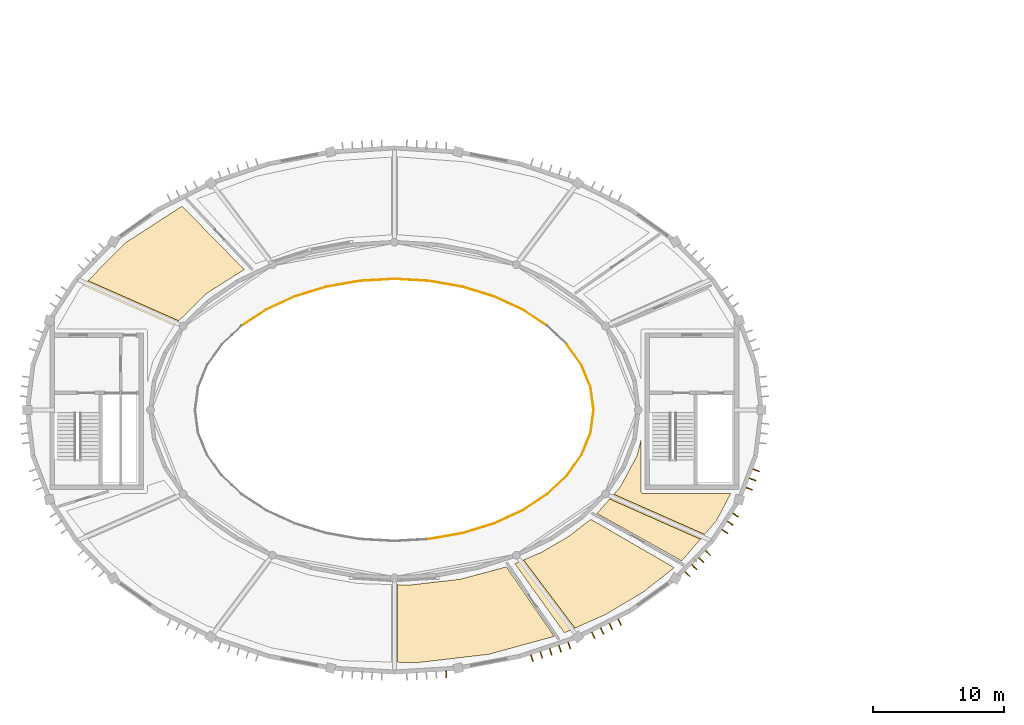
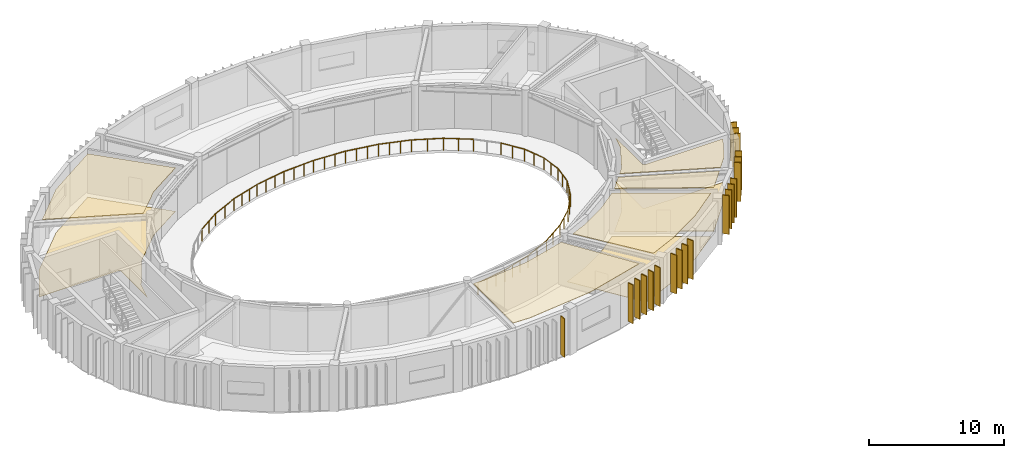
# One storey, part 25 of 29: 21 railings, 20 shading devices, 8 coverings.
"""IFC4 building model written with IfcOpenShell, lengths in metres."""

from ifc_helpers import new_model, si_unit, direction, frame, origin, origin_2d, place, context, subcontext, project, spatial, polyline, rectangle, circle, outline, extrude, material, layer, layer_set, type_object, element, save


model = new_model("IFC4")

# Units and contexts
model_context = context("Model", 3, precision=1e-05, world=origin(), true_north=direction((0.0, 1.0)))
body_context = subcontext(model_context, "Body", "Model", "MODEL_VIEW")
ifc_project = project(units=[si_unit("LENGTHUNIT", "METRE"), si_unit("AREAUNIT", "SQUARE_METRE"), si_unit("VOLUMEUNIT", "CUBIC_METRE"), si_unit("PLANEANGLEUNIT", "RADIAN"), si_unit("MASSUNIT", "GRAM", prefix="KILO")], contexts=[model_context])

# Site, building, storey
site_placement = place(None, origin())
site = spatial("IfcSite", under=ifc_project, at=site_placement, CompositionType="ELEMENT")
building_placement = place(site_placement, origin())
building = spatial("IfcBuilding", under=site, at=building_placement, Name="Tarnveldt Headland Concert Hall", CompositionType="ELEMENT")
storey_placement = place(building_placement, frame((0.0, 0.0, 18.60009765625)))
storey = spatial("IfcBuildingStorey", under=building, at=storey_placement, Name="L04", CompositionType="ELEMENT", Elevation=18.60009765625)

# Coverings
ifc_material_1 = material(Name="Micro-perforated mvule acoustic ceiling panel", Category="timber")
ifc_layer_1 = layer(ifc_material_1, 0.050048828125, Name="Micro-perforated mvule acoustic ceiling panel", Category="timber")
ifc_layer_set_1 = layer_set([ifc_layer_1], Name="Micro-perforated mvule acoustic ceiling panel")
covering_type_1 = type_object("IfcCoveringType", Name="CV-CEIL50", PredefinedType="CEILING", material=ifc_layer_set_1)
covering_1_placement = place(storey_placement, frame((0.0, 0.0, 3.929931640625)))
element("IfcCovering", 1, at=covering_1_placement, inside=storey, type_object=covering_type_1, Name="Acoustic mvule ceiling L04-06-329", PredefinedType="CEILING", context=body_context, shape_type="SweptSolid", body=[
    extrude(outline(polyline([(84.680419921875, 41.145751953125), (88.51806640625, 41.5859375), (88.53125, 41.587890625), (88.544189453125, 41.591064453125), (92.049560546875, 42.531982421875), (95.69287109375, 37.232177734375), (90.698974609375, 35.86376953125), (85.1708984375, 35.216796875), (83.72998046875, 35.259033203125), (83.72998046875, 41.17138671875), (84.65478515625, 41.144775390625), (84.680419921875, 41.145751953125)])), origin(), (0.0, 0.0, 1.0), 0.050048828125),
])
covering_2_placement = place(storey_placement, frame((0.0, 0.0, 3.929931640625)))
element("IfcCovering", 2, at=covering_2_placement, inside=storey, type_object=covering_type_1, Name="Acoustic mvule ceiling L04-07-331", PredefinedType="CEILING", context=body_context, shape_type="SweptSolid", body=[
    extrude(outline(polyline([(102.323486328125, 48.264892578125), (102.327880859375, 48.247802734375), (102.333740234375, 48.231201171875), (102.34130859375, 48.215087890625), (102.350341796875, 48.199951171875), (102.36083984375, 48.185791015625), (102.372802734375, 48.172607421875), (102.3857421875, 48.160888671875), (102.39990234375, 48.150390625), (102.4150390625, 48.141357421875), (102.43115234375, 48.1337890625), (102.44775390625, 48.127685546875), (102.46484375, 48.12353515625), (102.482421875, 48.120849609375), (102.5, 48.1201171875), (109.156494140625, 48.1201171875), (108.067138671875, 46.053955078125), (107.164794921875, 45.009765625), (100.248046875, 48.068359375), (100.712158203125, 48.594482421875), (100.724853515625, 48.610595703125), (100.735595703125, 48.628173828125), (102.010986328125, 50.998291015625), (102.017822265625, 51.01220703125), (102.023193359375, 51.026611328125), (102.027587890625, 51.04150390625), (102.320068359375, 52.25537109375), (102.320068359375, 48.300048828125), (102.32080078125, 48.282470703125), (102.323486328125, 48.264892578125)])), origin(), (0.0, 0.0, 1.0), 0.050048828125),
])
covering_3_placement = place(storey_placement, frame((0.0, 0.0, 3.929931640625)))
element("IfcCovering", 3, at=covering_3_placement, inside=storey, type_object=covering_type_1, Name="Acoustic mvule ceiling L04-07-332", PredefinedType="CEILING", context=body_context, shape_type="SweptSolid", body=[
    extrude(outline(polyline([(98.956787109375, 46.604248046875), (99.923095703125, 47.699951171875), (99.94384765625, 47.699951171875), (106.850341796875, 44.645751953125), (105.422119140625, 42.993408203125), (98.956787109375, 46.604248046875)])), origin(), (0.0, 0.0, 1.0), 0.050048828125),
])
covering_4_placement = place(storey_placement, frame((0.0, 0.0, 3.929931640625)))
element("IfcCovering", 4, at=covering_4_placement, inside=storey, type_object=covering_type_1, Name="Acoustic mvule ceiling L04-10-338", PredefinedType="CEILING", context=body_context, shape_type="SweptSolid", body=[
    extrude(outline(polyline([(72.047607421875, 65.2119140625), (69.136962890625, 63.369873046875), (69.12109375, 63.358642578125), (69.1064453125, 63.345703125), (67.04833984375, 61.303466796875), (60.127197265625, 64.3642578125), (62.965087890625, 67.238037109375), (67.310302734375, 70.044921875), (72.047607421875, 65.2119140625)])), origin(), (0.0, 0.0, 1.0), 0.050048828125),
])
covering_5_placement = place(storey_placement, frame((0.0, 0.0, 3.929931640625)))
element("IfcCovering", 5, at=covering_5_placement, inside=storey, type_object=covering_type_1, Name="Acoustic mvule ceiling L04-11-340", PredefinedType="CEILING", context=body_context, shape_type="SweptSolid", body=[
    extrude(outline(polyline([(94.758544921875, 43.66552734375), (96.789306640625, 44.84912109375), (96.80859375, 44.8623046875), (98.486572265625, 46.156982421875), (104.850341796875, 42.4716796875), (102.5009765625, 40.62158203125), (99.581298828125, 38.884521484375), (97.273681640625, 37.86181640625), (93.3583984375, 43.056396484375), (94.739501953125, 43.656005859375), (94.758544921875, 43.66552734375)])), origin(), (0.0, 0.0, 1.0), 0.050048828125),
])
ifc_material_2 = material(Name="Polished coral-aggregate cementitious terrazzo flooring", Category="concrete")
ifc_layer_2 = layer(ifc_material_2, 0.034912109375, Name="Polished coral-aggregate cementitious terrazzo flooring", Category="concrete")
ifc_layer_set_2 = layer_set([ifc_layer_2], Name="Polished coral-aggregate cementitious terrazzo flooring")
covering_type_2 = type_object("IfcCoveringType", Name="CV-FLOR35", PredefinedType="FLOORING", material=ifc_layer_set_2)
covering_6_placement = place(storey_placement, origin())
element("IfcCovering", 6, at=covering_6_placement, inside=storey, type_object=covering_type_2, Name="Architectural flooring L04-07-117", PredefinedType="FLOORING", context=body_context, shape_type="SweptSolid", body=[
    extrude(outline(polyline([(102.32080078125, 48.282470703125), (102.323486328125, 48.264892578125), (102.327880859375, 48.247802734375), (102.333740234375, 48.231201171875), (102.34130859375, 48.215087890625), (102.350341796875, 48.199951171875), (102.36083984375, 48.185791015625), (102.372802734375, 48.172607421875), (102.3857421875, 48.160888671875), (102.39990234375, 48.150390625), (102.4150390625, 48.141357421875), (102.43115234375, 48.1337890625), (102.44775390625, 48.127685546875), (102.46484375, 48.12353515625), (102.482421875, 48.120849609375), (102.5, 48.1201171875), (109.156494140625, 48.1201171875), (108.067138671875, 46.053955078125), (105.422119140625, 42.993408203125), (98.956787109375, 46.604248046875), (99.923095703125, 47.699951171875), (100.008056640625, 47.699951171875), (100.008056640625, 47.79638671875), (100.712158203125, 48.594482421875), (100.724853515625, 48.610595703125), (100.735595703125, 48.628173828125), (102.010986328125, 50.998291015625), (102.017822265625, 51.01220703125), (102.023193359375, 51.026611328125), (102.027587890625, 51.04150390625), (102.320068359375, 52.25537109375), (102.320068359375, 48.300048828125), (102.32080078125, 48.282470703125)])), origin(), (0.0, 0.0, 1.0), 0.034912109375),
])
covering_7_placement = place(storey_placement, origin())
element("IfcCovering", 7, at=covering_7_placement, inside=storey, type_object=covering_type_2, Name="Architectural flooring L04-10-121", PredefinedType="FLOORING", context=body_context, shape_type="SweptSolid", body=[
    extrude(outline(polyline([(67.310302734375, 70.044921875), (72.047607421875, 65.2119140625), (69.136962890625, 63.369873046875), (69.12109375, 63.358642578125), (69.1064453125, 63.345703125), (67.044921875, 61.300048828125), (66.991943359375, 61.300048828125), (66.991943359375, 61.24755859375), (66.7021484375, 60.9599609375), (66.691650390625, 60.94873046875), (66.682373046875, 60.936767578125), (66.674072265625, 60.923828125), (65.0810546875, 58.22998046875), (65.072998046875, 58.21435546875), (65.066162109375, 58.197998046875), (65.061279296875, 58.181396484375), (64.679931640625, 56.626708984375), (64.679931640625, 60.5), (64.67919921875, 60.517578125), (64.676513671875, 60.53515625), (64.672119140625, 60.55224609375), (64.666259765625, 60.56884765625), (64.65869140625, 60.5849609375), (64.649658203125, 60.60009765625), (64.63916015625, 60.6142578125), (64.627197265625, 60.627197265625), (64.6142578125, 60.63916015625), (64.60009765625, 60.649658203125), (64.5849609375, 60.65869140625), (64.56884765625, 60.666259765625), (64.55224609375, 60.672119140625), (64.53515625, 60.676513671875), (64.517578125, 60.67919921875), (64.5, 60.679931640625), (57.73974609375, 60.679931640625), (59.514892578125, 63.744384765625), (62.965087890625, 67.238037109375), (67.310302734375, 70.044921875)])), origin(), (0.0, 0.0, 1.0), 0.034912109375),
])
covering_8_placement = place(storey_placement, origin())
element("IfcCovering", 8, at=covering_8_placement, inside=storey, type_object=covering_type_2, Name="Architectural flooring L04-11-122", PredefinedType="FLOORING", context=body_context, shape_type="SweptSolid", body=[
    extrude(outline(polyline([(92.6962890625, 42.768798828125), (94.739501953125, 43.656005859375), (94.758544921875, 43.66552734375), (96.789306640625, 44.84912109375), (96.80859375, 44.8623046875), (98.486572265625, 46.156982421875), (104.850341796875, 42.4716796875), (102.5009765625, 40.62158203125), (99.581298828125, 38.884521484375), (96.471435546875, 37.50634765625), (92.6962890625, 42.768798828125)])), origin(), (0.0, 0.0, 1.0), 0.034912109375),
])

# Railings
ifc_material_3 = material(Name="Marine stainless steel", Category="steel")
ifc_layer_3 = layer(ifc_material_3, 0.06005859375, Name="Marine stainless steel", Category="steel")
ifc_layer_set_3 = layer_set([ifc_layer_3], Name="Marine stainless steel")
railing_type = type_object("IfcRailingType", Name="RL-GRD110", PredefinedType="GUARDRAIL", material=ifc_layer_set_3)
railing_1_placement = place(storey_placement, frame((98.699951171875, 54.5, 0.0)))
element("IfcRailing", 9, at=railing_1_placement, inside=storey, type_object=railing_type, Name="GUARD Auditorium void guardrail L04 1", PredefinedType="GUARDRAIL", context=body_context, shape_type="SweptSolid", body=[
    extrude(circle(Radius=0.02392578125, at=origin_2d()), frame((0.0, 0.0, 1.076171875), z_axis=(-0.131835089673, 0.991271662629, 0.0), x_axis=(-0.991271662629, -0.131835089673, 0.0)), (0.0, 0.0, 1.0), 1.751953125),
    extrude(circle(Radius=0.02099609375, at=origin_2d()), origin(), (0.0, 0.0, 1.0), 1.052001953125),
    extrude(circle(Radius=0.02099609375, at=origin_2d()), frame((-0.115478515625, 0.8681640625, 0.0)), (0.0, 0.0, 1.0), 1.052001953125),
    extrude(circle(Radius=0.02099609375, at=origin_2d()), frame((-0.23095703125, 1.736572265625, 0.0)), (0.0, 0.0, 1.0), 1.052001953125),
])
railing_2_placement = place(storey_placement, frame((98.468994140625, 56.236572265625, 0.0)))
element("IfcRailing", 10, at=railing_2_placement, inside=storey, type_object=railing_type, Name="GUARD Auditorium void guardrail L04 2", PredefinedType="GUARDRAIL", context=body_context, shape_type="SweptSolid", body=[
    extrude(circle(Radius=0.02392578125, at=origin_2d()), frame((0.0, 0.0, 1.076171875), z_axis=(-0.377241429706, 0.926114951674, 0.0), x_axis=(-0.926114951674, -0.377241429706, 0.0)), (0.0, 0.0, 1.0), 1.81787109375),
    extrude(circle(Radius=0.02099609375, at=origin_2d()), origin(), (0.0, 0.0, 1.0), 1.052001953125),
    extrude(circle(Radius=0.02099609375, at=origin_2d()), frame((-0.3427734375, 0.841796875, 0.0)), (0.0, 0.0, 1.0), 1.052001953125),
    extrude(circle(Radius=0.02099609375, at=origin_2d()), frame((-0.685791015625, 1.68359375, 0.0)), (0.0, 0.0, 1.0), 1.052001953125),
])
railing_3_placement = place(storey_placement, frame((97.783203125, 57.920166015625, 0.0)))
element("IfcRailing", 11, at=railing_3_placement, inside=storey, type_object=railing_type, Name="GUARD Auditorium void guardrail L04 3", PredefinedType="GUARDRAIL", context=body_context, shape_type="SweptSolid", body=[
    extrude(circle(Radius=0.02392578125, at=origin_2d()), frame((0.0, 0.0, 1.076171875), z_axis=(-0.578216724182, 0.815883214606, 0.0), x_axis=(-0.815883214606, -0.578216724182, 0.0)), (0.0, 0.0, 1.0), 1.936279296875),
    extrude(circle(Radius=0.02099609375, at=origin_2d()), origin(), (0.0, 0.0, 1.0), 1.052001953125),
    extrude(circle(Radius=0.02099609375, at=origin_2d()), frame((-0.559814453125, 0.7900390625, 0.0)), (0.0, 0.0, 1.0), 1.052001953125),
    extrude(circle(Radius=0.02099609375, at=origin_2d()), frame((-1.11962890625, 1.579833984375, 0.0)), (0.0, 0.0, 1.0), 1.052001953125),
])
railing_4_placement = place(storey_placement, frame((95.143798828125, 60.927978515625, 0.0)))
element("IfcRailing", 12, at=railing_4_placement, inside=storey, type_object=railing_type, Name="GUARD Auditorium void guardrail L04 5", PredefinedType="GUARDRAIL", context=body_context, shape_type="SweptSolid", body=[
    extrude(circle(Radius=0.02392578125, at=origin_2d()), frame((0.0, 0.0, 1.076171875), z_axis=(-0.835418397825, 0.549614501788, 0.0), x_axis=(-0.549614501788, -0.835418397825, 0.0)), (0.0, 0.0, 1.0), 2.242431640625),
    extrude(circle(Radius=0.02099609375, at=origin_2d()), origin(), (0.0, 0.0, 1.0), 1.052001953125),
    extrude(circle(Radius=0.02099609375, at=origin_2d()), frame((-0.9365234375, 0.6162109375, 0.0)), (0.0, 0.0, 1.0), 1.052001953125),
    extrude(circle(Radius=0.02099609375, at=origin_2d()), frame((-1.873291015625, 1.232421875, 0.0)), (0.0, 0.0, 1.0), 1.052001953125),
])
railing_5_placement = place(storey_placement, frame((93.2705078125, 62.160400390625, 0.0)))
element("IfcRailing", 13, at=railing_5_placement, inside=storey, type_object=railing_type, Name="GUARD Auditorium void guardrail L04 6", PredefinedType="GUARDRAIL", context=body_context, shape_type="SweptSolid", body=[
    extrude(circle(Radius=0.02392578125, at=origin_2d()), frame((0.0, 0.0, 1.076171875), z_axis=(-0.908234283008, 0.418462049854, 0.0), x_axis=(-0.418462049854, -0.908234283008, 0.0)), (0.0, 0.0, 1.0), 2.3896484375),
    extrude(circle(Radius=0.02099609375, at=origin_2d()), origin(), (0.0, 0.0, 1.0), 1.052001953125),
    extrude(circle(Radius=0.02099609375, at=origin_2d()), frame((-1.085205078125, 0.5, 0.0)), (0.0, 0.0, 1.0), 1.052001953125),
    extrude(circle(Radius=0.02099609375, at=origin_2d()), frame((-2.17041015625, 1.0, 0.0)), (0.0, 0.0, 1.0), 1.052001953125),
])
railing_6_placement = place(storey_placement, frame((91.10009765625, 63.160400390625, 0.0)))
element("IfcRailing", 14, at=railing_6_placement, inside=storey, type_object=railing_type, Name="GUARD Auditorium void guardrail L04 7", PredefinedType="GUARDRAIL", context=body_context, shape_type="SweptSolid", body=[
    extrude(circle(Radius=0.02392578125, at=origin_2d()), frame((0.0, 0.0, 1.076171875), z_axis=(-0.956037133001, 0.293245631381, 0.0), x_axis=(-0.293245631381, -0.956037133001, 0.0)), (0.0, 0.0, 1.0), 2.51171875),
    extrude(circle(Radius=0.02099609375, at=origin_2d()), origin(), (0.0, 0.0, 1.0), 1.052001953125),
    extrude(circle(Radius=0.02099609375, at=origin_2d()), frame((-0.800537109375, 0.24560546875, 0.0)), (0.0, 0.0, 1.0), 1.052001953125),
    extrude(circle(Radius=0.02099609375, at=origin_2d()), frame((-1.600830078125, 0.490966796875, 0.0)), (0.0, 0.0, 1.0), 1.052001953125),
    extrude(circle(Radius=0.02099609375, at=origin_2d()), frame((-2.4013671875, 0.736572265625, 0.0)), (0.0, 0.0, 1.0), 1.052001953125),
])
railing_7_placement = place(storey_placement, frame((88.69873046875, 63.89697265625, 0.0)))
element("IfcRailing", 15, at=railing_7_placement, inside=storey, type_object=railing_type, Name="GUARD Auditorium void guardrail L04 8", PredefinedType="GUARDRAIL", context=body_context, shape_type="SweptSolid", body=[
    extrude(circle(Radius=0.02392578125, at=origin_2d()), frame((0.0, 0.0, 1.076171875), z_axis=(-0.984814752515, 0.173608476834, 0.0), x_axis=(-0.173608476834, -0.984814752515, 0.0)), (0.0, 0.0, 1.0), 2.598876953125),
    extrude(circle(Radius=0.02099609375, at=origin_2d()), origin(), (0.0, 0.0, 1.0), 1.052001953125),
    extrude(circle(Radius=0.02099609375, at=origin_2d()), frame((-0.85302734375, 0.150390625, 0.0)), (0.0, 0.0, 1.0), 1.052001953125),
    extrude(circle(Radius=0.02099609375, at=origin_2d()), frame((-1.706298828125, 0.30078125, 0.0)), (0.0, 0.0, 1.0), 1.052001953125),
    extrude(circle(Radius=0.02099609375, at=origin_2d()), frame((-2.559326171875, 0.451171875, 0.0)), (0.0, 0.0, 1.0), 1.052001953125),
])
railing_8_placement = place(storey_placement, frame((86.139404296875, 64.34814453125, 0.0)))
element("IfcRailing", 16, at=railing_8_placement, inside=storey, type_object=railing_type, Name="GUARD Auditorium void guardrail L04 9", PredefinedType="GUARDRAIL", context=body_context, shape_type="SweptSolid", body=[
    extrude(circle(Radius=0.02392578125, at=origin_2d()), frame((0.0, 0.0, 1.076171875), z_axis=(-0.99834901745, 0.057439005536, 0.0), x_axis=(-0.057439005536, -0.99834901745, 0.0)), (0.0, 0.0, 1.0), 2.643798828125),
    extrude(circle(Radius=0.02099609375, at=origin_2d()), origin(), (0.0, 0.0, 1.0), 1.052001953125),
    extrude(circle(Radius=0.02099609375, at=origin_2d()), frame((-0.8798828125, 0.050537109375, 0.0)), (0.0, 0.0, 1.0), 1.052001953125),
    extrude(circle(Radius=0.02099609375, at=origin_2d()), frame((-1.759521484375, 0.101318359375, 0.0)), (0.0, 0.0, 1.0), 1.052001953125),
    extrude(circle(Radius=0.02099609375, at=origin_2d()), frame((-2.639404296875, 0.15185546875, 0.0)), (0.0, 0.0, 1.0), 1.052001953125),
])
railing_9_placement = place(storey_placement, frame((83.5, 64.5, 0.0)))
element("IfcRailing", 17, at=railing_9_placement, inside=storey, type_object=railing_type, Name="GUARD Auditorium void guardrail L04 10", PredefinedType="GUARDRAIL", context=body_context, shape_type="SweptSolid", body=[
    extrude(circle(Radius=0.02392578125, at=origin_2d()), frame((0.0, 0.0, 1.076171875), z_axis=(-0.99834901745, -0.057439005536, 0.0), x_axis=(0.057439005536, -0.99834901745, 0.0)), (0.0, 0.0, 1.0), 2.643798828125),
    extrude(circle(Radius=0.02099609375, at=origin_2d()), origin(), (0.0, 0.0, 1.0), 1.052001953125),
    extrude(circle(Radius=0.02099609375, at=origin_2d()), frame((-0.8798828125, -0.050537109375, 0.0)), (0.0, 0.0, 1.0), 1.052001953125),
    extrude(circle(Radius=0.02099609375, at=origin_2d()), frame((-1.759521484375, -0.101318359375, 0.0)), (0.0, 0.0, 1.0), 1.052001953125),
    extrude(circle(Radius=0.02099609375, at=origin_2d()), frame((-2.639404296875, -0.15185546875, 0.0)), (0.0, 0.0, 1.0), 1.052001953125),
])
railing_10_placement = place(storey_placement, frame((80.860595703125, 64.34814453125, 0.0)))
element("IfcRailing", 18, at=railing_10_placement, inside=storey, type_object=railing_type, Name="GUARD Auditorium void guardrail L04 11", PredefinedType="GUARDRAIL", context=body_context, shape_type="SweptSolid", body=[
    extrude(circle(Radius=0.02392578125, at=origin_2d()), frame((0.0, 0.0, 1.076171875), z_axis=(-0.984814752515, -0.173608476834, 0.0), x_axis=(0.173608476834, -0.984814752515, 0.0)), (0.0, 0.0, 1.0), 2.598876953125),
    extrude(circle(Radius=0.02099609375, at=origin_2d()), origin(), (0.0, 0.0, 1.0), 1.052001953125),
    extrude(circle(Radius=0.02099609375, at=origin_2d()), frame((-0.85302734375, -0.150390625, 0.0)), (0.0, 0.0, 1.0), 1.052001953125),
    extrude(circle(Radius=0.02099609375, at=origin_2d()), frame((-1.706298828125, -0.30078125, 0.0)), (0.0, 0.0, 1.0), 1.052001953125),
    extrude(circle(Radius=0.02099609375, at=origin_2d()), frame((-2.559326171875, -0.451171875, 0.0)), (0.0, 0.0, 1.0), 1.052001953125),
])
railing_11_placement = place(storey_placement, frame((78.30126953125, 63.89697265625, 0.0)))
element("IfcRailing", 19, at=railing_11_placement, inside=storey, type_object=railing_type, Name="GUARD Auditorium void guardrail L04 12", PredefinedType="GUARDRAIL", context=body_context, shape_type="SweptSolid", body=[
    extrude(circle(Radius=0.02392578125, at=origin_2d()), frame((0.0, 0.0, 1.076171875), z_axis=(-0.956037133001, -0.293245631381, 0.0), x_axis=(0.293245631381, -0.956037133001, 0.0)), (0.0, 0.0, 1.0), 2.51171875),
    extrude(circle(Radius=0.02099609375, at=origin_2d()), origin(), (0.0, 0.0, 1.0), 1.052001953125),
    extrude(circle(Radius=0.02099609375, at=origin_2d()), frame((-0.800537109375, -0.24560546875, 0.0)), (0.0, 0.0, 1.0), 1.052001953125),
    extrude(circle(Radius=0.02099609375, at=origin_2d()), frame((-1.600830078125, -0.490966796875, 0.0)), (0.0, 0.0, 1.0), 1.052001953125),
    extrude(circle(Radius=0.02099609375, at=origin_2d()), frame((-2.4013671875, -0.736572265625, 0.0)), (0.0, 0.0, 1.0), 1.052001953125),
])
railing_12_placement = place(storey_placement, frame((75.89990234375, 63.160400390625, 0.0)))
element("IfcRailing", 20, at=railing_12_placement, inside=storey, type_object=railing_type, Name="GUARD Auditorium void guardrail L04 13", PredefinedType="GUARDRAIL", context=body_context, shape_type="SweptSolid", body=[
    extrude(circle(Radius=0.02392578125, at=origin_2d()), frame((0.0, 0.0, 1.076171875), z_axis=(-0.908234283008, -0.418462049854, 0.0), x_axis=(0.418462049854, -0.908234283008, 0.0)), (0.0, 0.0, 1.0), 2.3896484375),
    extrude(circle(Radius=0.02099609375, at=origin_2d()), origin(), (0.0, 0.0, 1.0), 1.052001953125),
    extrude(circle(Radius=0.02099609375, at=origin_2d()), frame((-1.085205078125, -0.5, 0.0)), (0.0, 0.0, 1.0), 1.052001953125),
    extrude(circle(Radius=0.02099609375, at=origin_2d()), frame((-2.17041015625, -1.0, 0.0)), (0.0, 0.0, 1.0), 1.052001953125),
])
railing_13_placement = place(storey_placement, frame((73.7294921875, 62.160400390625, 0.0)))
element("IfcRailing", 21, at=railing_13_placement, inside=storey, type_object=railing_type, Name="GUARD Auditorium void guardrail L04 14", PredefinedType="GUARDRAIL", context=body_context, shape_type="SweptSolid", body=[
    extrude(circle(Radius=0.02392578125, at=origin_2d()), frame((0.0, 0.0, 1.076171875), z_axis=(-0.835418397825, -0.549614501788, 0.0), x_axis=(0.549614501788, -0.835418397825, 0.0)), (0.0, 0.0, 1.0), 2.242431640625),
    extrude(circle(Radius=0.02099609375, at=origin_2d()), origin(), (0.0, 0.0, 1.0), 1.052001953125),
    extrude(circle(Radius=0.02099609375, at=origin_2d()), frame((-0.9365234375, -0.6162109375, 0.0)), (0.0, 0.0, 1.0), 1.052001953125),
    extrude(circle(Radius=0.02099609375, at=origin_2d()), frame((-1.873291015625, -1.232421875, 0.0)), (0.0, 0.0, 1.0), 1.052001953125),
])
railing_14_placement = place(storey_placement, frame((86.139404296875, 44.65185546875, 0.0)))
element("IfcRailing", 22, at=railing_14_placement, inside=storey, type_object=railing_type, Name="GUARD Auditorium void guardrail L04 29", PredefinedType="GUARDRAIL", context=body_context, shape_type="SweptSolid", body=[
    extrude(circle(Radius=0.02392578125, at=origin_2d()), frame((0.0, 0.0, 1.076171875), z_axis=(0.984814752515, 0.173608476834, 0.0), x_axis=(-0.173608476834, 0.984814752515, 0.0)), (0.0, 0.0, 1.0), 2.598876953125),
    extrude(circle(Radius=0.02099609375, at=origin_2d()), origin(), (0.0, 0.0, 1.0), 1.052001953125),
    extrude(circle(Radius=0.02099609375, at=origin_2d()), frame((0.85302734375, 0.150390625, 0.0)), (0.0, 0.0, 1.0), 1.052001953125),
    extrude(circle(Radius=0.02099609375, at=origin_2d()), frame((1.706298828125, 0.30078125, 0.0)), (0.0, 0.0, 1.0), 1.052001953125),
    extrude(circle(Radius=0.02099609375, at=origin_2d()), frame((2.559326171875, 0.451171875, 0.0)), (0.0, 0.0, 1.0), 1.052001953125),
])
railing_15_placement = place(storey_placement, frame((88.69873046875, 45.10302734375, 0.0)))
element("IfcRailing", 23, at=railing_15_placement, inside=storey, type_object=railing_type, Name="GUARD Auditorium void guardrail L04 30", PredefinedType="GUARDRAIL", context=body_context, shape_type="SweptSolid", body=[
    extrude(circle(Radius=0.02392578125, at=origin_2d()), frame((0.0, 0.0, 1.076171875), z_axis=(0.956037133001, 0.293245631381, 0.0), x_axis=(-0.293245631381, 0.956037133001, 0.0)), (0.0, 0.0, 1.0), 2.51171875),
    extrude(circle(Radius=0.02099609375, at=origin_2d()), origin(), (0.0, 0.0, 1.0), 1.052001953125),
    extrude(circle(Radius=0.02099609375, at=origin_2d()), frame((0.800537109375, 0.24560546875, 0.0)), (0.0, 0.0, 1.0), 1.052001953125),
    extrude(circle(Radius=0.02099609375, at=origin_2d()), frame((1.600830078125, 0.490966796875, 0.0)), (0.0, 0.0, 1.0), 1.052001953125),
    extrude(circle(Radius=0.02099609375, at=origin_2d()), frame((2.4013671875, 0.736572265625, 0.0)), (0.0, 0.0, 1.0), 1.052001953125),
])
railing_16_placement = place(storey_placement, frame((91.10009765625, 45.839599609375, 0.0)))
element("IfcRailing", 24, at=railing_16_placement, inside=storey, type_object=railing_type, Name="GUARD Auditorium void guardrail L04 31", PredefinedType="GUARDRAIL", context=body_context, shape_type="SweptSolid", body=[
    extrude(circle(Radius=0.02392578125, at=origin_2d()), frame((0.0, 0.0, 1.076171875), z_axis=(0.908234283008, 0.418462049854, 0.0), x_axis=(-0.418462049854, 0.908234283008, 0.0)), (0.0, 0.0, 1.0), 2.3896484375),
    extrude(circle(Radius=0.02099609375, at=origin_2d()), origin(), (0.0, 0.0, 1.0), 1.052001953125),
    extrude(circle(Radius=0.02099609375, at=origin_2d()), frame((1.085205078125, 0.5, 0.0)), (0.0, 0.0, 1.0), 1.052001953125),
    extrude(circle(Radius=0.02099609375, at=origin_2d()), frame((2.17041015625, 1.0, 0.0)), (0.0, 0.0, 1.0), 1.052001953125),
])
railing_17_placement = place(storey_placement, frame((93.2705078125, 46.839599609375, 0.0)))
element("IfcRailing", 25, at=railing_17_placement, inside=storey, type_object=railing_type, Name="GUARD Auditorium void guardrail L04 32", PredefinedType="GUARDRAIL", context=body_context, shape_type="SweptSolid", body=[
    extrude(circle(Radius=0.02392578125, at=origin_2d()), frame((0.0, 0.0, 1.076171875), z_axis=(0.835418397825, 0.549614501788, 0.0), x_axis=(-0.549614501788, 0.835418397825, 0.0)), (0.0, 0.0, 1.0), 2.242431640625),
    extrude(circle(Radius=0.02099609375, at=origin_2d()), origin(), (0.0, 0.0, 1.0), 1.052001953125),
    extrude(circle(Radius=0.02099609375, at=origin_2d()), frame((0.9365234375, 0.6162109375, 0.0)), (0.0, 0.0, 1.0), 1.052001953125),
    extrude(circle(Radius=0.02099609375, at=origin_2d()), frame((1.873291015625, 1.232421875, 0.0)), (0.0, 0.0, 1.0), 1.052001953125),
])
railing_18_placement = place(storey_placement, frame((95.143798828125, 48.072021484375, 0.0)))
element("IfcRailing", 26, at=railing_18_placement, inside=storey, type_object=railing_type, Name="GUARD Auditorium void guardrail L04 33", PredefinedType="GUARDRAIL", context=body_context, shape_type="SweptSolid", body=[
    extrude(circle(Radius=0.02392578125, at=origin_2d()), frame((0.0, 0.0, 1.076171875), z_axis=(0.728773712747, 0.684754609776, 0.0), x_axis=(-0.684754609776, 0.728773712747, 0.0)), (0.0, 0.0, 1.0), 2.08544921875),
    extrude(circle(Radius=0.02099609375, at=origin_2d()), origin(), (0.0, 0.0, 1.0), 1.052001953125),
    extrude(circle(Radius=0.02099609375, at=origin_2d()), frame((0.759765625, 0.7138671875, 0.0)), (0.0, 0.0, 1.0), 1.052001953125),
    extrude(circle(Radius=0.02099609375, at=origin_2d()), frame((1.519775390625, 1.427978515625, 0.0)), (0.0, 0.0, 1.0), 1.052001953125),
])
railing_19_placement = place(storey_placement, frame((96.66357421875, 49.5, 0.0)))
element("IfcRailing", 27, at=railing_19_placement, inside=storey, type_object=railing_type, Name="GUARD Auditorium void guardrail L04 34", PredefinedType="GUARDRAIL", context=body_context, shape_type="SweptSolid", body=[
    extrude(circle(Radius=0.02392578125, at=origin_2d()), frame((0.0, 0.0, 1.076171875), z_axis=(0.578216724182, 0.815883214606, 0.0), x_axis=(-0.815883214606, 0.578216724182, 0.0)), (0.0, 0.0, 1.0), 1.936279296875),
    extrude(circle(Radius=0.02099609375, at=origin_2d()), origin(), (0.0, 0.0, 1.0), 1.052001953125),
    extrude(circle(Radius=0.02099609375, at=origin_2d()), frame((0.559814453125, 0.7900390625, 0.0)), (0.0, 0.0, 1.0), 1.052001953125),
    extrude(circle(Radius=0.02099609375, at=origin_2d()), frame((1.11962890625, 1.579833984375, 0.0)), (0.0, 0.0, 1.0), 1.052001953125),
])
railing_20_placement = place(storey_placement, frame((97.783203125, 51.079833984375, 0.0)))
element("IfcRailing", 28, at=railing_20_placement, inside=storey, type_object=railing_type, Name="GUARD Auditorium void guardrail L04 35", PredefinedType="GUARDRAIL", context=body_context, shape_type="SweptSolid", body=[
    extrude(circle(Radius=0.02392578125, at=origin_2d()), frame((0.0, 0.0, 1.076171875), z_axis=(0.377241429706, 0.926114951674, 0.0), x_axis=(-0.926114951674, 0.377241429706, 0.0)), (0.0, 0.0, 1.0), 1.81787109375),
    extrude(circle(Radius=0.02099609375, at=origin_2d()), origin(), (0.0, 0.0, 1.0), 1.052001953125),
    extrude(circle(Radius=0.02099609375, at=origin_2d()), frame((0.3427734375, 0.841796875, 0.0)), (0.0, 0.0, 1.0), 1.052001953125),
    extrude(circle(Radius=0.02099609375, at=origin_2d()), frame((0.685791015625, 1.68359375, 0.0)), (0.0, 0.0, 1.0), 1.052001953125),
])
railing_21_placement = place(storey_placement, frame((98.468994140625, 52.763427734375, 0.0)))
element("IfcRailing", 29, at=railing_21_placement, inside=storey, type_object=railing_type, Name="GUARD Auditorium void guardrail L04 36", PredefinedType="GUARDRAIL", context=body_context, shape_type="SweptSolid", body=[
    extrude(circle(Radius=0.02392578125, at=origin_2d()), frame((0.0, 0.0, 1.076171875), z_axis=(0.131835089673, 0.991271662629, 0.0), x_axis=(-0.991271662629, 0.131835089673, 0.0)), (0.0, 0.0, 1.0), 1.751953125),
    extrude(circle(Radius=0.02099609375, at=origin_2d()), origin(), (0.0, 0.0, 1.0), 1.052001953125),
    extrude(circle(Radius=0.02099609375, at=origin_2d()), frame((0.115478515625, 0.8681640625, 0.0)), (0.0, 0.0, 1.0), 1.052001953125),
    extrude(circle(Radius=0.02099609375, at=origin_2d()), frame((0.23095703125, 1.736572265625, 0.0)), (0.0, 0.0, 1.0), 1.052001953125),
])

# Shading devices
ifc_material_4 = material(Name="Terracotta-anodised aluminium EN AW-6063-T6", Category="masonry")
shading_device_type = type_object("IfcShadingDeviceType", Name="SD-FIN520", PredefinedType="USERDEFINED", material=ifc_material_4)
for number, where, z_axis, x_axis, name in (
    (30, (87.4541015625, 34.328857421875, 0.25), (0.0, 0.0, 1.0), (0.062442138662, -0.998048585651, 0.0), "Drum terracotta acoustic solar fin L04-181"),
    (31, (93.9970703125, 35.57275390625, 0.25), (0.0, 0.0, 1.0), (0.315980237922, -0.948765771538, 0.0), "Drum terracotta acoustic solar fin L04-182"),
    (32, (94.708740234375, 35.809814453125, 0.25), (0.0, 0.0, 1.0), (0.315980237922, -0.948765771538, 0.0), "Drum terracotta acoustic solar fin L04-183"),
    (33, (95.420166015625, 36.046630859375, 0.25), (0.0, 0.0, 1.0), (0.315980237922, -0.948765771538, 0.0), "Drum terracotta acoustic solar fin L04-184"),
    (34, (96.1318359375, 36.28369140625, 0.25), (0.0, 0.0, 1.0), (0.315980237922, -0.948765771538, 0.0), "Drum terracotta acoustic solar fin L04-185"),
    (35, (96.843505859375, 36.520751953125, 0.25), (0.0, 0.0, 1.0), (0.315980237922, -0.948765771538, 0.0), "Drum terracotta acoustic solar fin L04-186"),
    (36, (98.6796875, 37.302734375, 0.25), (0.0, 0.0, 1.0), (0.447290848419, -0.89438856037, 0.0), "Drum terracotta acoustic solar fin L04-187"),
    (37, (99.350341796875, 37.63818359375, 0.25), (0.0, 0.0, 1.0), (0.447290848419, -0.89438856037, 0.0), "Drum terracotta acoustic solar fin L04-188"),
    (38, (100.021240234375, 37.9736328125, 0.25), (0.0, 0.0, 1.0), (0.447290848419, -0.89438856037, 0.0), "Drum terracotta acoustic solar fin L04-189"),
    (39, (100.69189453125, 38.30908203125, 0.25), (0.0, 0.0, 1.0), (0.447290848419, -0.89438856037, 0.0), "Drum terracotta acoustic solar fin L04-190"),
    (40, (105.859619140625, 41.9765625, 0.25), (0.0, 0.0, 1.0), (0.714106238843, -0.700037341608, 0.0), "Drum terracotta acoustic solar fin L04-191"),
    (41, (106.384521484375, 42.511962890625, 0.25), (0.0, 0.0, 1.0), (0.714106238843, -0.700037341608, 0.0), "Drum terracotta acoustic solar fin L04-192"),
    (42, (106.90966796875, 43.047607421875, 0.25), (0.0, 0.0, 1.0), (0.714106238843, -0.700037341608, 0.0), "Drum terracotta acoustic solar fin L04-193"),
    (43, (107.4345703125, 43.583251953125, 0.25), (0.0, 0.0, 1.0), (0.714106238843, -0.700037341608, 0.0), "Drum terracotta acoustic solar fin L04-194"),
    (44, (108.7197265625, 45.2236328125, 0.25), (0.0, 0.0, 1.0), (0.837337261414, -0.546686665878, 0.0), "Drum terracotta acoustic solar fin L04-195"),
    (45, (109.129638671875, 45.8515625, 0.25), (0.0, 0.0, 1.0), (0.837337261414, -0.546686665878, 0.0), "Drum terracotta acoustic solar fin L04-196"),
    (46, (109.53955078125, 46.4794921875, 0.25), (0.0, 0.0, 1.0), (0.837337261414, -0.546686665878, 0.0), "Drum terracotta acoustic solar fin L04-197"),
    (47, (110.570556640625, 48.494384765625, 0.25), (0.0, 0.0, 1.0), (0.936304939415, -0.35118806988, 0.0), "Drum terracotta acoustic solar fin L04-198"),
    (48, (110.833984375, 49.19677734375, 0.25), (0.0, 0.0, 1.0), (0.936304939415, -0.35118806988, 0.0), "Drum terracotta acoustic solar fin L04-199"),
    (49, (111.097412109375, 49.89892578125, 0.25), (0.0, 0.0, 1.0), (0.936304939415, -0.35118806988, 0.0), "Drum terracotta acoustic solar fin L04-200"),
):
    element("IfcShadingDevice", number, at=place(storey_placement, frame(where, z_axis=z_axis, x_axis=x_axis)), inside=storey, type_object=shading_device_type, Name=name, ObjectType="FIN", PredefinedType="USERDEFINED", context=body_context, shape_type="SweptSolid", body=[
        extrude(rectangle(XDim=0.52001953125, YDim=0.080078125, at=origin_2d()), origin(), (0.0, 0.0, 1.0), 3.5),
    ])

save(model, "model.ifc")
